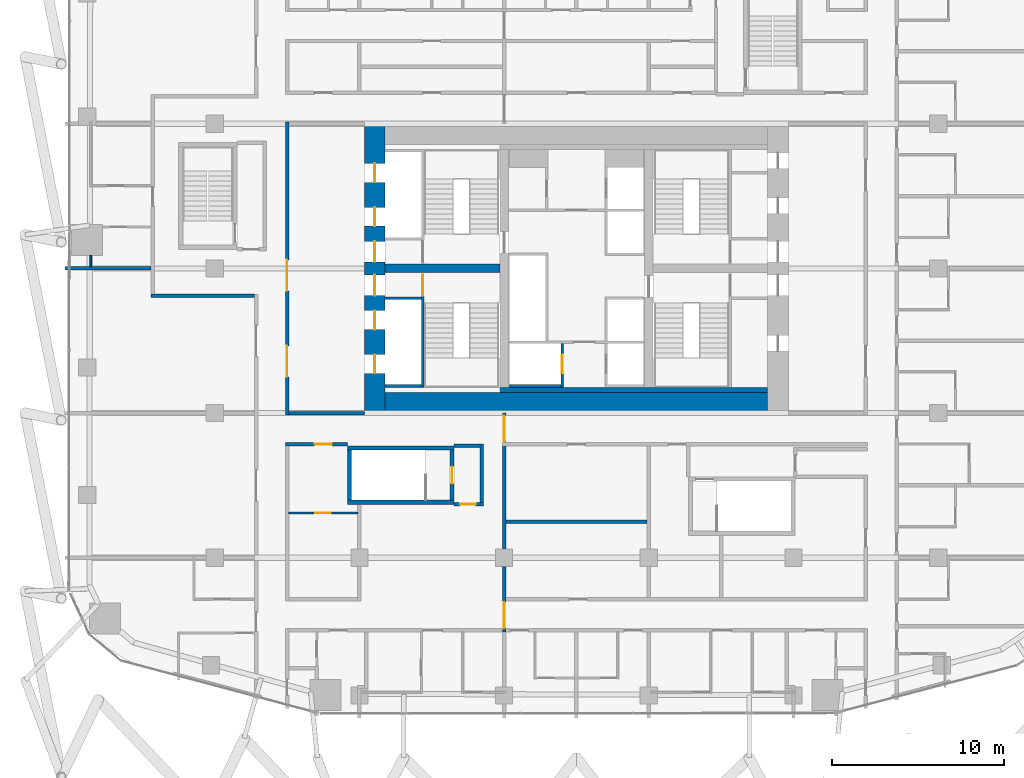
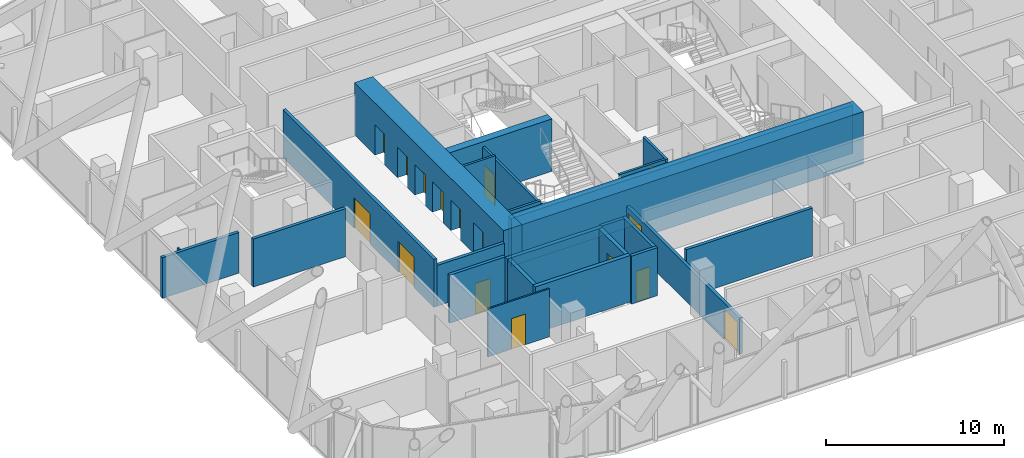
# One storey, part 28 of 36: 25 walls, 16 doors, 16 openings.
"""IFC4 building model written with IfcOpenShell, lengths in metres."""

import ifcopenshell
import ifcopenshell.guid

model = None  # the IFC model being written
_history = None  # IfcOwnerHistory: only IFC2X3 demands one
_inside = {}  # id of a spatial element -> (the spatial element, [elements in it])
_under = {}  # id of a project, library or spatial element -> (it, [spatial elements below it])
_declared = {}  # id of a project -> (the project, [libraries it declares])
_typed = {}  # id of a type object -> (the type object, [elements of that type])
_made_of = {}  # id of a material, layer set ... -> (it, [elements and type objects made of it])


def new_model(schema):
    """Start an empty IFC model of exactly this schema.

    Asked for "IFC4X3", IfcOpenShell would pick the latest addendum, in which some entities
    have other attributes; the version numbers below select the first issue.
    IFC2X3 requires an IfcOwnerHistory on every rooted entity: one is made here for all.
    """
    global model, _history
    if schema == "IFC4X3":
        model = ifcopenshell.file(schema_version=(4, 3, 0, 0))
    else:
        model = ifcopenshell.file(schema=schema)
    _inside.clear()
    _under.clear()
    _declared.clear()
    _typed.clear()
    _made_of.clear()
    _history = None
    if model.schema == "IFC2X3":
        org = make("IfcOrganization", Name="unknown")
        user = make(
            "IfcPersonAndOrganization",
            ThePerson=make("IfcPerson", FamilyName="unknown"),
            TheOrganization=org,
        )
        app = make(
            "IfcApplication",
            ApplicationDeveloper=org,
            Version="unknown",
            ApplicationFullName="unknown",
            ApplicationIdentifier="unknown",
        )
        _history = make(
            "IfcOwnerHistory",
            OwningUser=user,
            OwningApplication=app,
            ChangeAction="ADDED",
            CreationDate=0,
        )
    return model


def make(cls, **values):
    """One entity of the class cls with the attributes given. An attribute that is None is left unset."""
    return model.create_entity(
        cls, **{name: value for name, value in values.items() if value is not None}
    )


def rooted(cls, **values):
    """An entity with a GlobalId (a new one), such as an element, a storey or a relation."""
    return make(cls, GlobalId=ifcopenshell.guid.new(), OwnerHistory=_history, **values)


def si_unit(unit_type, name, prefix=None):
    """IfcSIUnit, for example si_unit("LENGTHUNIT", "METRE", prefix="MILLI")."""
    return make("IfcSIUnit", UnitType=unit_type, Prefix=prefix, Name=name)


def assignment(units):
    """IfcUnitAssignment: the units of a project."""
    return None if units is None else make("IfcUnitAssignment", Units=units)


def point(xyz):
    """IfcCartesianPoint."""
    return None if xyz is None else make("IfcCartesianPoint", Coordinates=xyz)


def direction(xyz):
    """IfcDirection."""
    return None if xyz is None else make("IfcDirection", DirectionRatios=xyz)


def frame(location, z_axis=None, x_axis=None):
    """IfcAxis2Placement3D, a coordinate frame: its origin and axes. An axis left out is left unset."""
    return make(
        "IfcAxis2Placement3D",
        Location=point(location),
        Axis=direction(z_axis),
        RefDirection=direction(x_axis),
    )


def frame_2d(location, x_axis=None):
    """IfcAxis2Placement2D, a coordinate frame in the plane: its origin and x axis."""
    return make(
        "IfcAxis2Placement2D", Location=point(location), RefDirection=direction(x_axis)
    )


def origin():
    """The frame at (0, 0, 0) with its axes left unset."""
    return frame((0.0, 0.0, 0.0))


def place(relative_to, where):
    """IfcLocalPlacement: puts the frame where relative to a parent placement (None: the world)."""
    return make(
        "IfcLocalPlacement", PlacementRelTo=relative_to, RelativePlacement=where
    )


def context(
    kind, dimensions, precision=None, world=None, true_north=None, identifier=None
):
    """IfcGeometricRepresentationContext, for example the 3D "Model" context."""
    return make(
        "IfcGeometricRepresentationContext",
        ContextIdentifier=identifier,
        ContextType=kind,
        CoordinateSpaceDimension=dimensions,
        Precision=precision,
        WorldCoordinateSystem=world,
        TrueNorth=true_north,
    )


def subcontext(parent, identifier, kind, view, scale=None):
    """IfcGeometricRepresentationSubContext, for example "Body" below "Model"."""
    return make(
        "IfcGeometricRepresentationSubContext",
        ContextIdentifier=identifier,
        ContextType=kind,
        ParentContext=parent,
        TargetScale=scale,
        TargetView=view,
    )


def project(units=None, contexts=None):
    """IfcProject with its units and contexts."""
    return rooted(
        "IfcProject",
        Name="project",
        RepresentationContexts=contexts,
        UnitsInContext=assignment(units),
    )


def spatial(cls, under=None, at=None, **own):
    """A site, building, storey or space (cls), placed at a placement, below another one or the project."""
    s = rooted(cls, ObjectPlacement=at, **own)
    if under is not None:
        _under.setdefault(under.id(), (under, []))[1].append(s)
    return s


def profile(cls, at=None, kind="AREA", **sizes):
    """A parametric profile (cls). Its sizes go by their IFC names, for example OverallWidth=200.0."""
    return make(cls, ProfileType=kind, Position=at, **sizes)


def rectangle(**sizes):
    """IfcRectangleProfileDef."""
    return profile("IfcRectangleProfileDef", **sizes)


def extrude(swept, where, along, depth):
    """IfcExtrudedAreaSolid: the profile swept, set in the frame where, extruded along a direction by depth."""
    return make(
        "IfcExtrudedAreaSolid",
        SweptArea=swept,
        Position=where,
        ExtrudedDirection=direction(along),
        Depth=depth,
    )


def shape(context_of_items, identifier, shape_type, items):
    """IfcShapeRepresentation: the items that make up one representation, for example the "Body"."""
    return make(
        "IfcShapeRepresentation",
        ContextOfItems=context_of_items,
        RepresentationIdentifier=identifier,
        RepresentationType=shape_type,
        Items=items,
    )


def material(Name=None, Category=None):
    """IfcMaterial."""
    return make("IfcMaterial", Name=Name, Category=Category)


def layer(
    of_material, thickness, ventilated=None, Name=None, Category=None, Priority=None
):
    """IfcMaterialLayer: one layer of a wall or slab, of a material (None: an air gap)."""
    return make(
        "IfcMaterialLayer",
        Material=of_material,
        LayerThickness=thickness,
        IsVentilated=ventilated,
        Name=Name,
        Category=Category,
        Priority=Priority,
    )


def layer_set(layers, Name=None):
    """IfcMaterialLayerSet."""
    return make("IfcMaterialLayerSet", MaterialLayers=layers, LayerSetName=Name)


def made_of(thing, what):
    """Note that an element or type object is made of a material, layer set ...; save() writes the relation."""
    if what is not None:
        _made_of.setdefault(what.id(), (what, []))[1].append(thing)
    return thing


def type_object(cls, material=None, **own):
    """A type object (cls), such as IfcWallType, which elements share."""
    return made_of(rooted(cls, **own), material)


def element(
    cls,
    number,
    at=None,
    inside=None,
    cuts=None,
    type_object=None,
    material=None,
    context=None,
    identifier="Body",
    shape_type=None,
    held_by="IfcProductDefinitionShape",
    body=None,
    shapes=None,
    **own,
):
    """One element of the class cls, such as IfcWall. Its Tag is "e" and its number.

    at: its placement. inside: the storey or other place that contains it. cuts: it is an
    opening in that element (IfcRelVoidsElement). A single representation is given by context,
    identifier, shape_type and body (its items); several are given by shapes. held_by: the class
    of the entity that holds the representations. save() writes the other relations.
    """
    e = rooted(cls, Tag="e%d" % number, ObjectPlacement=at, **own)
    if body is not None:
        shapes = [shape(context, identifier, shape_type, body)]
    if shapes is not None:
        e.Representation = make(held_by, Representations=shapes)
    if inside is not None:
        _inside.setdefault(inside.id(), (inside, []))[1].append(e)
    if cuts is not None:
        rooted(
            "IfcRelVoidsElement", RelatingBuildingElement=cuts, RelatedOpeningElement=e
        )
    if type_object is not None:
        _typed.setdefault(type_object.id(), (type_object, []))[1].append(e)
    return made_of(e, material)


def fill(opening, filler):
    """IfcRelFillsElement: the door or window that sits in an opening."""
    return rooted(
        "IfcRelFillsElement",
        RelatingOpeningElement=opening,
        RelatedBuildingElement=filler,
    )


def aggregate(whole, parts):
    """IfcRelAggregates: a whole, such as a stair, and the parts it consists of."""
    return rooted("IfcRelAggregates", RelatingObject=whole, RelatedObjects=parts)


def save(model, path):
    """Write the relations noted so far, then the file.

    IfcRelAggregates (storeys below a building ...), IfcRelContainedInSpatialStructure (elements
    in a storey), IfcRelDefinesByType, IfcRelAssociatesMaterial and IfcRelDeclares: one each for
    every whole, place, type object, material and project.
    """
    for whole, parts in _under.values():
        aggregate(whole, parts)
    for where, things in _inside.values():
        rooted(
            "IfcRelContainedInSpatialStructure",
            RelatedElements=things,
            RelatingStructure=where,
        )
    for kind, things in _typed.values():
        rooted("IfcRelDefinesByType", RelatedObjects=things, RelatingType=kind)
    for what, things in _made_of.values():
        rooted("IfcRelAssociatesMaterial", RelatedObjects=things, RelatingMaterial=what)
    for by, libraries in _declared.values():
        rooted("IfcRelDeclares", RelatingContext=by, RelatedDefinitions=libraries)
    model.write(path)


model = new_model("IFC4")

# Units and contexts
model_context = context("Model", 3, precision=1e-05, world=origin(), true_north=direction((0.0, 1.0)))
body_context = subcontext(model_context, "Body", "Model", "MODEL_VIEW")
ifc_project = project(units=[si_unit("LENGTHUNIT", "METRE"), si_unit("AREAUNIT", "SQUARE_METRE"), si_unit("VOLUMEUNIT", "CUBIC_METRE"), si_unit("PLANEANGLEUNIT", "RADIAN"), si_unit("MASSUNIT", "GRAM", prefix="KILO")], contexts=[model_context])

# Site, building, storey
site_placement = place(None, origin())
site = spatial("IfcSite", under=ifc_project, at=site_placement, CompositionType="ELEMENT")
building_placement = place(site_placement, origin())
building = spatial("IfcBuilding", under=site, at=building_placement, Name="Marenta Gate Hotel Tower", CompositionType="ELEMENT")
storey_placement = place(building_placement, frame((0.0, 0.0, 83.300048828125)))
storey = spatial("IfcBuildingStorey", under=building, at=storey_placement, Name="L19", CompositionType="ELEMENT", Elevation=83.300048828125)

# Wall, openings, doors
ifc_material_1 = material(Name="Concrete blockwork", Category="masonry")
ifc_layer_1 = layer(ifc_material_1, 0.199951171875)
ifc_layer_set_1 = layer_set([ifc_layer_1], Name="Concrete blockwork")
wall_type_1 = type_object("IfcWallType", Name="Compartment wall 200 REI 180", PredefinedType="PARTITIONING", material=ifc_layer_set_1)
wall_1_placement = place(storey_placement, frame((-4.199951171875, -12.699951171875, 0.0), z_axis=(0.0, 0.0, 1.0), x_axis=(0.0, 1.0, 0.0)))
wall_1 = element("IfcWall", 1, at=wall_1_placement, inside=storey, type_object=wall_type_1, Name="L19-PTN-W081", PredefinedType="PARTITIONING", context=body_context, shape_type="SweptSolid", body=[
    extrude(rectangle(XDim=12.699951171875, YDim=0.199951171875, at=frame_2d((6.35009765625, 0.0))), origin(), (0.0, 0.0, 1.0), 2.48583984375),
])
opening_1_placement = place(wall_1_placement, frame((11.050048828125, 0.0, 0.0)))
opening_1 = element("IfcOpeningElement", 2, at=opening_1_placement, cuts=wall_1, Name="Opening G07-FD3", PredefinedType="OPENING", context=body_context, shape_type="SweptSolid", body=[
    extrude(rectangle(XDim=1.5, YDim=2.10009765625, at=frame_2d((0.75, 1.050048828125))), frame((0.0, 0.10009765625, 0.0), z_axis=(0.0, -1.0, 0.0), x_axis=(1.0, 0.0, 0.0)), (0.0, 0.0, 1.0), 0.199951171875),
])
opening_2_placement = place(wall_1_placement, frame((0.22509765625, 0.0, 0.0)))
opening_2 = element("IfcOpeningElement", 3, at=opening_2_placement, cuts=wall_1, Name="Opening G07-FD4", PredefinedType="OPENING", context=body_context, shape_type="SweptSolid", body=[
    extrude(rectangle(XDim=1.5, YDim=2.10009765625, at=frame_2d((0.75, 1.050048828125))), frame((0.0, 0.10009765625, 0.0), z_axis=(0.0, -1.0, 0.0), x_axis=(1.0, 0.0, 0.0)), (0.0, 0.0, 1.0), 0.199951171875),
])
ifc_material_2 = material(Name="Hollow steel door set", Category="steel")
door_type_1 = type_object("IfcDoorType", Name="Compartment fire door 1500x2100 EI 60", OperationType="DOUBLE_DOOR_DOUBLE_SWING", PredefinedType="DOOR", material=ifc_material_2)
door_1_placement = place(opening_1_placement, origin())
door_1 = element("IfcDoor", 4, at=door_1_placement, inside=storey, type_object=door_type_1, Name="L19-PD-FD03", OperationType="DOUBLE_DOOR_DOUBLE_SWING", OverallHeight=2.10009765625, OverallWidth=1.5, PredefinedType="DOOR", context=body_context, shape_type="SweptSolid", body=[
    extrude(rectangle(XDim=1.5, YDim=2.10009765625, at=frame_2d((0.75, 1.050048828125))), frame((0.0, 0.02490234375, 0.0), z_axis=(0.0, -1.0, 0.0), x_axis=(1.0, 0.0, 0.0)), (0.0, 0.0, 1.0), 0.050048828125),
])
fill(opening_1, door_1)
door_2_placement = place(opening_2_placement, origin())
door_2 = element("IfcDoor", 5, at=door_2_placement, inside=storey, type_object=door_type_1, Name="L19-PD-FD04", OperationType="DOUBLE_DOOR_DOUBLE_SWING", OverallHeight=2.10009765625, OverallWidth=1.5, PredefinedType="DOOR", context=body_context, shape_type="SweptSolid", body=[
    extrude(rectangle(XDim=1.5, YDim=2.10009765625, at=frame_2d((0.75, 1.050048828125))), frame((0.0, 0.02490234375, 0.0), z_axis=(0.0, -1.0, 0.0), x_axis=(1.0, 0.0, 0.0)), (0.0, 0.0, 1.0), 0.050048828125),
])
fill(opening_2, door_2)

ifc_material_3 = material(Name="Concrete blockwork", Category="masonry")
ifc_layer_2 = layer(ifc_material_3, 0.199951171875)
ifc_layer_set_2 = layer_set([ifc_layer_2], Name="Concrete blockwork")
wall_type_2 = type_object("IfcWallType", Name="Core boundary wall 200 REI 180", PredefinedType="PARTITIONING", material=ifc_layer_set_2)
wall_2_placement = place(storey_placement, frame((-16.800048828125, -0.10009765625, 0.0), z_axis=(0.0, 0.0, 1.0), x_axis=(0.0, 1.0, 0.0)))
wall_2 = element("IfcWall", 6, at=wall_2_placement, inside=storey, type_object=wall_type_2, Name="L19-CP-BW-W", PredefinedType="PARTITIONING", context=body_context, shape_type="SweptSolid", body=[
    extrude(rectangle(XDim=17.0, YDim=0.199951171875, at=frame_2d((8.5, 0.0))), origin(), (0.0, 0.0, 1.0), 3.300048828125),
])
opening_3_placement = place(wall_2_placement, frame((2.199951171875, 0.0, 0.0)))
opening_3 = element("IfcOpeningElement", 7, at=opening_3_placement, cuts=wall_2, Name="Opening ED-Wa-B", PredefinedType="OPENING", context=body_context, shape_type="SweptSolid", body=[
    extrude(rectangle(XDim=1.800048828125, YDim=2.10009765625, at=frame_2d((0.89990234375, 1.050048828125))), frame((0.0, 0.10009765625, 0.0), z_axis=(0.0, -1.0, 0.0), x_axis=(1.0, 0.0, 0.0)), (0.0, 0.0, 1.0), 0.199951171875),
])
opening_4_placement = place(wall_2_placement, frame((7.199951171875, 0.0, 0.0)))
opening_4 = element("IfcOpeningElement", 8, at=opening_4_placement, cuts=wall_2, Name="Opening ED-Wb-B", PredefinedType="OPENING", context=body_context, shape_type="SweptSolid", body=[
    extrude(rectangle(XDim=1.800048828125, YDim=2.10009765625, at=frame_2d((0.89990234375, 1.050048828125))), frame((0.0, 0.10009765625, 0.0), z_axis=(0.0, -1.0, 0.0), x_axis=(1.0, 0.0, 0.0)), (0.0, 0.0, 1.0), 0.199951171875),
])
ifc_material_4 = material(Name="Steel", Category="steel")
door_type_2 = type_object("IfcDoorType", Name="Core lobby entrance door 1800x2100 EI 60", OperationType="DOUBLE_DOOR_SINGLE_SWING", PredefinedType="DOOR", material=ifc_material_4)
door_3_placement = place(opening_3_placement, origin())
door_3 = element("IfcDoor", 9, at=door_3_placement, inside=storey, type_object=door_type_2, Name="ED-Wa-B", OperationType="DOUBLE_DOOR_SINGLE_SWING", OverallHeight=2.10009765625, OverallWidth=1.800048828125, PredefinedType="DOOR", context=body_context, shape_type="SweptSolid", body=[
    extrude(rectangle(XDim=1.800048828125, YDim=2.10009765625, at=frame_2d((0.89990234375, 1.050048828125))), frame((0.0, 0.02490234375, 0.0), z_axis=(0.0, -1.0, 0.0), x_axis=(1.0, 0.0, 0.0)), (0.0, 0.0, 1.0), 0.050048828125),
])
fill(opening_3, door_3)
door_4_placement = place(opening_4_placement, origin())
door_4 = element("IfcDoor", 10, at=door_4_placement, inside=storey, type_object=door_type_2, Name="ED-Wb-B", OperationType="DOUBLE_DOOR_SINGLE_SWING", OverallHeight=2.10009765625, OverallWidth=1.800048828125, PredefinedType="DOOR", context=body_context, shape_type="SweptSolid", body=[
    extrude(rectangle(XDim=1.800048828125, YDim=2.10009765625, at=frame_2d((0.89990234375, 1.050048828125))), frame((0.0, 0.02490234375, 0.0), z_axis=(0.0, -1.0, 0.0), x_axis=(1.0, 0.0, 0.0)), (0.0, 0.0, 1.0), 0.050048828125),
])
fill(opening_4, door_4)

# Walls
wall_3_placement = place(storey_placement, frame((-16.699951171875, 0.0, 0.0), z_axis=(0.0, 0.0, 1.0), x_axis=(1.0, 0.0, 0.0)))
element("IfcWall", 11, at=wall_3_placement, inside=storey, type_object=wall_type_2, Name="L19-CP-EW-WS", PredefinedType="PARTITIONING", context=body_context, shape_type="SweptSolid", body=[
    extrude(rectangle(XDim=4.39990234375, YDim=0.199951171875, at=frame_2d((2.199951171875, 0.0))), origin(), (0.0, 0.0, 1.0), 2.800048828125),
])
ifc_material_5 = material(Name="Concrete C40", Category="concrete")
ifc_layer_3 = layer(ifc_material_5, 0.300048828125)
ifc_layer_set_3 = layer_set([ifc_layer_3], Name="Concrete C40")
wall_type_3 = type_object("IfcWallType", Name="Core lining wall 300 REI 180", PredefinedType="PARTITIONING", material=ifc_layer_set_3)
wall_4_placement = place(storey_placement, frame((-11.10009765625, 1.35009765625, 0.0), z_axis=(0.0, 0.0, 1.0), x_axis=(1.0, 0.0, 0.0)))
element("IfcWall", 12, at=wall_4_placement, inside=storey, type_object=wall_type_3, Name="L19-CP-LN-S", PredefinedType="PARTITIONING", context=body_context, shape_type="SweptSolid", body=[
    extrude(rectangle(XDim=22.2001953125, YDim=0.300048828125, at=frame_2d((11.10009765625, 0.0))), origin(), (0.0, 0.0, 1.0), 3.300048828125),
])
ifc_material_6 = material(Name="Concrete C40", Category="concrete")
ifc_layer_4 = layer(ifc_material_6, 0.14990234375)
ifc_layer_set_4 = layer_set([ifc_layer_4], Name="Concrete C40")
wall_type_4 = type_object("IfcWallType", Name="Core shaft wall 150 REI 180", PredefinedType="SHEAR", material=ifc_layer_set_4)
for number, where, z_axis, x_axis, name in (
    (13, (-11.10009765625, 6.675048828125, 0.0), (0.0, 0.0, 1.0), (1.0, 0.0, 0.0), "L19-SHF-SW-WS-2"),
    (14, (-11.10009765625, 1.574951171875, 0.0), (0.0, 0.0, 1.0), (1.0, 0.0, 0.0), "L19-SHF-SW-WS-5"),
):
    element("IfcWall", number, at=place(storey_placement, frame(where, z_axis=z_axis, x_axis=x_axis)), inside=storey, type_object=wall_type_4, Name=name, PredefinedType="SHEAR", context=body_context, shape_type="SweptSolid", body=[
        extrude(rectangle(XDim=2.10009765625, YDim=0.14990234375, at=frame_2d((1.050048828125, 0.0))), origin(), (0.0, 0.0, 1.0), 3.599853515625),
    ])

# Wall, opening, door
wall_5_placement = place(storey_placement, frame((-0.824951171875, 1.5, 0.0), z_axis=(0.0, 0.0, 1.0), x_axis=(0.0, 1.0, 0.0)))
wall_5 = element("IfcWall", 15, at=wall_5_placement, inside=storey, type_object=wall_type_4, Name="L19-SHF-CW-W-ff", PredefinedType="SHEAR", context=body_context, shape_type="SweptSolid", body=[
    extrude(rectangle(XDim=2.550048828125, YDim=0.14990234375, at=frame_2d((1.27490234375, 0.0))), origin(), (0.0, 0.0, 1.0), 3.599853515625),
])
opening_5_placement = place(wall_5_placement, frame((0.800048828125, 0.0, 0.0)))
opening_5 = element("IfcOpeningElement", 16, at=opening_5_placement, cuts=wall_5, Name="Opening LD-FF1", PredefinedType="OPENING", context=body_context, shape_type="SweptSolid", body=[
    extrude(rectangle(XDim=1.10009765625, YDim=2.10009765625, at=frame_2d((0.550048828125, 1.050048828125))), frame((0.0, 0.074951171875, 0.0), z_axis=(0.0, -1.0, 0.0), x_axis=(1.0, 0.0, 0.0)), (0.0, 0.0, 1.0), 0.14990234375),
])
ifc_material_7 = material(Name="Steel", Category="steel")
door_type_3 = type_object("IfcDoorType", Name="Core lift landing door 1100x2100 E 60", OperationType="SLIDING_TO_LEFT", PredefinedType="DOOR", material=ifc_material_7)
door_5_placement = place(opening_5_placement, origin())
door_5 = element("IfcDoor", 17, at=door_5_placement, inside=storey, type_object=door_type_3, Name="LD-FF1", OperationType="SLIDING_TO_LEFT", OverallHeight=2.10009765625, OverallWidth=1.10009765625, PredefinedType="DOOR", context=body_context, shape_type="SweptSolid", body=[
    extrude(rectangle(XDim=1.10009765625, YDim=2.10009765625, at=frame_2d((0.550048828125, 1.050048828125))), frame((0.0, 0.02490234375, 0.0), z_axis=(0.0, -1.0, 0.0), x_axis=(1.0, 0.0, 0.0)), (0.0, 0.0, 1.0), 0.050048828125),
])
fill(opening_5, door_5)

# Wall
wall_6_placement = place(storey_placement, frame((-3.89990234375, 1.574951171875, 0.0), z_axis=(0.0, 0.0, 1.0), x_axis=(1.0, 0.0, 0.0)))
element("IfcWall", 18, at=wall_6_placement, inside=storey, type_object=wall_type_4, Name="L19-SHF-CW-W-ffs", PredefinedType="SHEAR", context=body_context, shape_type="SweptSolid", body=[
    extrude(rectangle(XDim=3.0, YDim=0.14990234375, at=frame_2d((1.5, 0.0))), origin(), (0.0, 0.0, 1.0), 3.599853515625),
])

# Wall, opening, door
ifc_material_8 = material(Name="Concrete C40", Category="concrete")
ifc_layer_5 = layer(ifc_material_8, 0.14990234375)
ifc_layer_set_5 = layer_set([ifc_layer_5], Name="Concrete C40")
wall_type_5 = type_object("IfcWallType", Name="Core stair enclosure wall 150 REI 180", PredefinedType="SHEAR", material=ifc_layer_set_5)
wall_7_placement = place(storey_placement, frame((-8.925048828125, 1.5, 0.0), z_axis=(0.0, 0.0, 1.0), x_axis=(0.0, 1.0, 0.0)))
wall_7 = element("IfcWall", 19, at=wall_7_placement, inside=storey, type_object=wall_type_5, Name="L19-SHF-SW-WS-3", PredefinedType="SHEAR", context=body_context, shape_type="SweptSolid", body=[
    extrude(rectangle(XDim=6.60009765625, YDim=0.14990234375, at=frame_2d((3.300048828125, 0.0))), origin(), (0.0, 0.0, 1.0), 3.300048828125),
])
opening_6_placement = place(wall_7_placement, frame((5.324951171875, 0.0, 0.0)))
opening_6 = element("IfcOpeningElement", 20, at=opening_6_placement, cuts=wall_7, Name="Opening SD-WS", PredefinedType="OPENING", context=body_context, shape_type="SweptSolid", body=[
    extrude(rectangle(XDim=1.199951171875, YDim=2.10009765625, at=frame_2d((0.60009765625, 1.050048828125))), frame((0.0, 0.074951171875, 0.0), z_axis=(0.0, -1.0, 0.0), x_axis=(1.0, 0.0, 0.0)), (0.0, 0.0, 1.0), 0.14990234375),
])
ifc_material_9 = material(Name="Steel", Category="steel")
door_type_4 = type_object("IfcDoorType", Name="Core stair door 1200x2100 FD60", OperationType="SINGLE_SWING_LEFT", PredefinedType="DOOR", material=ifc_material_9)
door_6_placement = place(opening_6_placement, origin())
door_6 = element("IfcDoor", 21, at=door_6_placement, inside=storey, type_object=door_type_4, Name="SD-WS", OperationType="SINGLE_SWING_LEFT", OverallHeight=2.10009765625, OverallWidth=1.199951171875, PredefinedType="DOOR", context=body_context, shape_type="SweptSolid", body=[
    extrude(rectangle(XDim=1.199951171875, YDim=2.10009765625, at=frame_2d((0.60009765625, 1.050048828125))), frame((0.0, 0.02490234375, 0.0), z_axis=(0.0, -1.0, 0.0), x_axis=(1.0, 0.0, 0.0)), (0.0, 0.0, 1.0), 0.050048828125),
])
fill(opening_6, door_6)

# Wall, openings, doors
ifc_material_10 = material(Name="Concrete C80", Category="concrete")
ifc_layer_6 = layer(ifc_material_10, 1.199951171875)
ifc_layer_set_6 = layer_set([ifc_layer_6], Name="Concrete C80")
wall_type_6 = type_object("IfcWallType", Name="Core wall 1200 C80", PredefinedType="SHEAR", material=ifc_layer_set_6)
wall_8_placement = place(storey_placement, frame((-11.699951171875, 0.0, 0.0), z_axis=(0.0, 0.0, 1.0), x_axis=(0.0, 1.0, 0.0)))
wall_8 = element("IfcWall", 22, at=wall_8_placement, inside=storey, type_object=wall_type_6, Name="L19-CORE-W", PredefinedType="SHEAR", context=body_context, shape_type="SweptSolid", body=[
    extrude(rectangle(XDim=16.800048828125, YDim=1.199951171875, at=frame_2d((8.39990234375, 0.0))), origin(), (0.0, 0.0, 1.0), 3.599853515625),
])
opening_7_placement = place(wall_8_placement, frame((2.300048828125, 0.0, 0.0)))
opening_7 = element("IfcOpeningElement", 23, at=opening_7_placement, cuts=wall_8, Name="Opening LD-LR1", PredefinedType="OPENING", context=body_context, shape_type="SweptSolid", body=[
    extrude(rectangle(XDim=1.10009765625, YDim=2.10009765625, at=frame_2d((0.550048828125, 1.050048828125))), frame((0.0, 0.60009765625, 0.0), z_axis=(0.0, -1.0, 0.0), x_axis=(1.0, 0.0, 0.0)), (0.0, 0.0, 1.0), 1.199951171875),
])
opening_8_placement = place(wall_8_placement, frame((4.85009765625, 0.0, 0.0)))
opening_8 = element("IfcOpeningElement", 24, at=opening_8_placement, cuts=wall_8, Name="Opening LD-LR2", PredefinedType="OPENING", context=body_context, shape_type="SweptSolid", body=[
    extrude(rectangle(XDim=1.10009765625, YDim=2.10009765625, at=frame_2d((0.550048828125, 1.050048828125))), frame((0.0, 0.60009765625, 0.0), z_axis=(0.0, -1.0, 0.0), x_axis=(1.0, 0.0, 0.0)), (0.0, 0.0, 1.0), 1.199951171875),
])
opening_9_placement = place(wall_8_placement, frame((6.824951171875, 0.0, 0.0)))
opening_9 = element("IfcOpeningElement", 25, at=opening_9_placement, cuts=wall_8, Name="Opening PD-WS", PredefinedType="OPENING", context=body_context, shape_type="SweptSolid", body=[
    extrude(rectangle(XDim=1.199951171875, YDim=2.10009765625, at=frame_2d((0.60009765625, 1.050048828125))), frame((0.0, 0.60009765625, 0.0), z_axis=(0.0, -1.0, 0.0), x_axis=(1.0, 0.0, 0.0)), (0.0, 0.0, 1.0), 1.199951171875),
])
opening_10_placement = place(wall_8_placement, frame((13.39990234375, 0.0, 0.0)))
opening_10 = element("IfcOpeningElement", 26, at=opening_10_placement, cuts=wall_8, Name="Opening LD-LR4", PredefinedType="OPENING", context=body_context, shape_type="SweptSolid", body=[
    extrude(rectangle(XDim=1.10009765625, YDim=2.10009765625, at=frame_2d((0.550048828125, 1.050048828125))), frame((0.0, 0.60009765625, 0.0), z_axis=(0.0, -1.0, 0.0), x_axis=(1.0, 0.0, 0.0)), (0.0, 0.0, 1.0), 1.199951171875),
])
opening_11_placement = place(wall_8_placement, frame((10.85009765625, 0.0, 0.0)))
opening_11 = element("IfcOpeningElement", 27, at=opening_11_placement, cuts=wall_8, Name="Opening LD-LR3", PredefinedType="OPENING", context=body_context, shape_type="SweptSolid", body=[
    extrude(rectangle(XDim=1.10009765625, YDim=2.10009765625, at=frame_2d((0.550048828125, 1.050048828125))), frame((0.0, 0.60009765625, 0.0), z_axis=(0.0, -1.0, 0.0), x_axis=(1.0, 0.0, 0.0)), (0.0, 0.0, 1.0), 1.199951171875),
])
opening_12_placement = place(wall_8_placement, frame((8.77490234375, 0.0, 0.0)))
opening_12 = element("IfcOpeningElement", 28, at=opening_12_placement, cuts=wall_8, Name="Opening PD-WN", PredefinedType="OPENING", context=body_context, shape_type="SweptSolid", body=[
    extrude(rectangle(XDim=1.199951171875, YDim=2.10009765625, at=frame_2d((0.60009765625, 1.050048828125))), frame((0.0, 0.60009765625, 0.0), z_axis=(0.0, -1.0, 0.0), x_axis=(1.0, 0.0, 0.0)), (0.0, 0.0, 1.0), 1.199951171875),
])
door_7_placement = place(opening_7_placement, origin())
door_7 = element("IfcDoor", 29, at=door_7_placement, inside=storey, type_object=door_type_3, Name="LD-LR1", OperationType="SLIDING_TO_LEFT", OverallHeight=2.10009765625, OverallWidth=1.10009765625, PredefinedType="DOOR", context=body_context, shape_type="SweptSolid", body=[
    extrude(rectangle(XDim=1.10009765625, YDim=2.10009765625, at=frame_2d((0.550048828125, 1.050048828125))), frame((0.0, 0.02490234375, 0.0), z_axis=(0.0, -1.0, 0.0), x_axis=(1.0, 0.0, 0.0)), (0.0, 0.0, 1.0), 0.050048828125),
])
fill(opening_7, door_7)
door_8_placement = place(opening_8_placement, origin())
door_8 = element("IfcDoor", 30, at=door_8_placement, inside=storey, type_object=door_type_3, Name="LD-LR2", OperationType="SLIDING_TO_LEFT", OverallHeight=2.10009765625, OverallWidth=1.10009765625, PredefinedType="DOOR", context=body_context, shape_type="SweptSolid", body=[
    extrude(rectangle(XDim=1.10009765625, YDim=2.10009765625, at=frame_2d((0.550048828125, 1.050048828125))), frame((0.0, 0.02490234375, 0.0), z_axis=(0.0, -1.0, 0.0), x_axis=(1.0, 0.0, 0.0)), (0.0, 0.0, 1.0), 0.050048828125),
])
fill(opening_8, door_8)
door_9_placement = place(opening_10_placement, origin())
door_9 = element("IfcDoor", 31, at=door_9_placement, inside=storey, type_object=door_type_3, Name="LD-LR4", OperationType="SLIDING_TO_LEFT", OverallHeight=2.10009765625, OverallWidth=1.10009765625, PredefinedType="DOOR", context=body_context, shape_type="SweptSolid", body=[
    extrude(rectangle(XDim=1.10009765625, YDim=2.10009765625, at=frame_2d((0.550048828125, 1.050048828125))), frame((0.0, 0.02490234375, 0.0), z_axis=(0.0, -1.0, 0.0), x_axis=(1.0, 0.0, 0.0)), (0.0, 0.0, 1.0), 0.050048828125),
])
fill(opening_10, door_9)
door_10_placement = place(opening_11_placement, origin())
door_10 = element("IfcDoor", 32, at=door_10_placement, inside=storey, type_object=door_type_3, Name="LD-LR3", OperationType="SLIDING_TO_LEFT", OverallHeight=2.10009765625, OverallWidth=1.10009765625, PredefinedType="DOOR", context=body_context, shape_type="SweptSolid", body=[
    extrude(rectangle(XDim=1.10009765625, YDim=2.10009765625, at=frame_2d((0.550048828125, 1.050048828125))), frame((0.0, 0.02490234375, 0.0), z_axis=(0.0, -1.0, 0.0), x_axis=(1.0, 0.0, 0.0)), (0.0, 0.0, 1.0), 0.050048828125),
])
fill(opening_11, door_10)
ifc_material_11 = material(Name="Steel", Category="steel")
door_type_5 = type_object("IfcDoorType", Name="Core lobby door 1200x2100 FD60", OperationType="SINGLE_SWING_LEFT", PredefinedType="DOOR", material=ifc_material_11)
door_11_placement = place(opening_9_placement, origin())
door_11 = element("IfcDoor", 33, at=door_11_placement, inside=storey, type_object=door_type_5, Name="PD-WS", OperationType="SINGLE_SWING_LEFT", OverallHeight=2.10009765625, OverallWidth=1.199951171875, PredefinedType="DOOR", context=body_context, shape_type="SweptSolid", body=[
    extrude(rectangle(XDim=1.199951171875, YDim=2.10009765625, at=frame_2d((0.60009765625, 1.050048828125))), frame((0.0, 0.02490234375, 0.0), z_axis=(0.0, -1.0, 0.0), x_axis=(1.0, 0.0, 0.0)), (0.0, 0.0, 1.0), 0.050048828125),
])
fill(opening_9, door_11)
door_12_placement = place(opening_12_placement, origin())
door_12 = element("IfcDoor", 34, at=door_12_placement, inside=storey, type_object=door_type_5, Name="PD-WN", OperationType="SINGLE_SWING_LEFT", OverallHeight=2.10009765625, OverallWidth=1.199951171875, PredefinedType="DOOR", context=body_context, shape_type="SweptSolid", body=[
    extrude(rectangle(XDim=1.199951171875, YDim=2.10009765625, at=frame_2d((0.60009765625, 1.050048828125))), frame((0.0, 0.02490234375, 0.0), z_axis=(0.0, -1.0, 0.0), x_axis=(1.0, 0.0, 0.0)), (0.0, 0.0, 1.0), 0.050048828125),
])
fill(opening_12, door_12)

# Walls
wall_9_placement = place(storey_placement, frame((-11.10009765625, 0.60009765625, 0.0), z_axis=(0.0, 0.0, 1.0), x_axis=(1.0, 0.0, 0.0)))
element("IfcWall", 35, at=wall_9_placement, inside=storey, type_object=wall_type_6, Name="L19-CORE-S", PredefinedType="SHEAR", context=body_context, shape_type="SweptSolid", body=[
    extrude(rectangle(XDim=22.2001953125, YDim=1.199951171875, at=frame_2d((11.10009765625, 0.0))), origin(), (0.0, 0.0, 1.0), 3.599853515625),
])
ifc_material_12 = material(Name="Concrete C80", Category="concrete")
ifc_layer_7 = layer(ifc_material_12, 0.5)
ifc_layer_set_7 = layer_set([ifc_layer_7], Name="Concrete C80")
wall_type_7 = type_object("IfcWallType", Name="Core web 500 C80", PredefinedType="SHEAR", material=ifc_layer_set_7)
wall_10_placement = place(storey_placement, frame((-11.10009765625, 8.39990234375, 0.0), z_axis=(0.0, 0.0, 1.0), x_axis=(1.0, 0.0, 0.0)))
element("IfcWall", 36, at=wall_10_placement, inside=storey, type_object=wall_type_7, Name="L19-CORE-W3", PredefinedType="SHEAR", context=body_context, shape_type="SweptSolid", body=[
    extrude(rectangle(XDim=6.650146484375, YDim=0.5, at=frame_2d((3.3251953125, 0.0))), origin(), (0.0, 0.0, 1.0), 3.599853515625),
])
ifc_material_13 = material(Name="Concrete C40", Category="concrete")
ifc_layer_8 = layer(ifc_material_13, 0.25)
ifc_layer_set_8 = layer_set([ifc_layer_8], Name="Concrete C40")
wall_type_8 = type_object("IfcWallType", Name="Remote stair enclosure wall 250 REI 180", PredefinedType="SHEAR", material=ifc_layer_set_8)
for number, where, z_axis, x_axis, name in (
    (37, (-13.300048828125, -5.175048828125, 0.099853515625), (0.0, 0.0, 1.0), (1.0, 0.0, 0.0), "L19-RS-Z1-2-W1"),
    (38, (-13.300048828125, -2.02490234375, 0.099853515625), (0.0, 0.0, 1.0), (1.0, 0.0, 0.0), "L19-RS-Z1-2-W2"),
):
    element("IfcWall", number, at=place(storey_placement, frame(where, z_axis=z_axis, x_axis=x_axis)), inside=storey, type_object=wall_type_8, Name=name, PredefinedType="SHEAR", context=body_context, shape_type="SweptSolid", body=[
        extrude(rectangle(XDim=6.199951171875, YDim=0.25, at=frame_2d((3.10009765625, 0.0))), origin(), (0.0, 0.0, 1.0), 3.2001953125),
    ])
wall_11_placement = place(storey_placement, frame((-13.175048828125, -5.050048828125, 0.099853515625), z_axis=(0.0, 0.0, 1.0), x_axis=(0.0, 1.0, 0.0)))
element("IfcWall", 39, at=wall_11_placement, inside=storey, type_object=wall_type_8, Name="L19-RS-Z1-2-W3", PredefinedType="SHEAR", context=body_context, shape_type="SweptSolid", body=[
    extrude(rectangle(XDim=2.900146484375, YDim=0.25, at=frame_2d((1.4501953125, 0.0))), origin(), (0.0, 0.0, 1.0), 3.2001953125),
])

# Wall, opening, door
wall_12_placement = place(storey_placement, frame((-7.22509765625, -5.050048828125, 0.099853515625), z_axis=(0.0, 0.0, 1.0), x_axis=(0.0, 1.0, 0.0)))
wall_12 = element("IfcWall", 40, at=wall_12_placement, inside=storey, type_object=wall_type_8, Name="L19-RS-Z1-2-W4", PredefinedType="SHEAR", context=body_context, shape_type="SweptSolid", body=[
    extrude(rectangle(XDim=2.900146484375, YDim=0.25, at=frame_2d((1.4501953125, 0.0))), origin(), (0.0, 0.0, 1.0), 3.2001953125),
])
opening_13_placement = place(wall_12_placement, frame((0.949951171875, 0.0, 0.0)))
opening_13 = element("IfcOpeningElement", 41, at=opening_13_placement, cuts=wall_12, Name="Opening VD", PredefinedType="OPENING", context=body_context, shape_type="SweptSolid", body=[
    extrude(rectangle(XDim=1.0, YDim=2.10009765625, at=frame_2d((0.5, 1.050048828125))), frame((0.0, 0.125, 0.0), z_axis=(0.0, -1.0, 0.0), x_axis=(1.0, 0.0, 0.0)), (0.0, 0.0, 1.0), 0.25),
])
ifc_material_14 = material(Name="Steel", Category="steel")
door_type_6 = type_object("IfcDoorType", Name="Stair vestibule door 1000x2100 FD60", OperationType="SINGLE_SWING_LEFT", PredefinedType="DOOR", material=ifc_material_14)
door_13_placement = place(opening_13_placement, origin())
door_13 = element("IfcDoor", 42, at=door_13_placement, inside=storey, type_object=door_type_6, Name="VD", OperationType="SINGLE_SWING_LEFT", OverallHeight=2.10009765625, OverallWidth=1.0, PredefinedType="DOOR", context=body_context, shape_type="SweptSolid", body=[
    extrude(rectangle(XDim=1.0, YDim=2.10009765625, at=frame_2d((0.5, 1.050048828125))), frame((0.0, 0.02490234375, 0.0), z_axis=(0.0, -1.0, 0.0), x_axis=(1.0, 0.0, 0.0)), (0.0, 0.0, 1.0), 0.050048828125),
])
fill(opening_13, door_13)

ifc_material_15 = material(Name="Gypsum board on steel stud", Category="steel")
ifc_layer_9 = layer(ifc_material_15, 0.199951171875)
ifc_layer_set_9 = layer_set([ifc_layer_9], Name="Gypsum board on steel stud")
wall_type_9 = type_object("IfcWallType", Name="Room corridor wall 200 EI 60", PredefinedType="PARTITIONING", material=ifc_layer_set_9)
wall_13_placement = place(storey_placement, frame((-16.89990234375, -1.800048828125, 0.0), z_axis=(0.0, 0.0, 1.0), x_axis=(1.0, 0.0, 0.0)))
wall_13 = element("IfcWall", 43, at=wall_13_placement, inside=storey, type_object=wall_type_9, Name="L19-PTN-W067", PredefinedType="PARTITIONING", context=body_context, shape_type="SweptSolid", body=[
    extrude(rectangle(XDim=3.599853515625, YDim=0.199951171875, at=frame_2d((1.7998046875, 0.0))), origin(), (0.0, 0.0, 1.0), 3.300048828125),
])
opening_14_placement = place(wall_13_placement, frame((1.699951171875, 0.0, 0.0)))
opening_14 = element("IfcOpeningElement", 44, at=opening_14_placement, cuts=wall_13, Name="Opening G07-04", PredefinedType="OPENING", context=body_context, shape_type="SweptSolid", body=[
    extrude(rectangle(XDim=1.0, YDim=2.10009765625, at=frame_2d((0.5, 1.050048828125))), frame((0.0, 0.10009765625, 0.0), z_axis=(0.0, -1.0, 0.0), x_axis=(1.0, 0.0, 0.0)), (0.0, 0.0, 1.0), 0.199951171875),
])
ifc_material_16 = material(Name="Hollow steel door set", Category="steel")
door_type_7 = type_object("IfcDoorType", Name="Room service door 1000x2100 EI 30", OperationType="NOTDEFINED", PredefinedType="DOOR", material=ifc_material_16)
door_14_placement = place(opening_14_placement, origin())
door_14 = element("IfcDoor", 45, at=door_14_placement, inside=storey, type_object=door_type_7, Name="L19-PD-D004", OperationType="SINGLE_SWING_RIGHT", OverallHeight=2.10009765625, OverallWidth=1.0, PredefinedType="DOOR", context=body_context, shape_type="SweptSolid", body=[
    extrude(rectangle(XDim=1.0, YDim=2.10009765625, at=frame_2d((0.5, 1.050048828125))), frame((0.0, 0.02490234375, 0.0), z_axis=(0.0, -1.0, 0.0), x_axis=(1.0, 0.0, 0.0)), (0.0, 0.0, 1.0), 0.050048828125),
])
fill(opening_14, door_14)

# Wall
wall_14_placement = place(storey_placement, frame((-24.699951171875, 6.800048828125, 0.0), z_axis=(0.0, 0.0, 1.0), x_axis=(1.0, 0.0, 0.0)))
element("IfcWall", 46, at=wall_14_placement, inside=storey, type_object=wall_type_9, Name="L19-PTN-W087", PredefinedType="PARTITIONING", context=body_context, shape_type="SweptSolid", body=[
    extrude(rectangle(XDim=6.0, YDim=0.199951171875, at=frame_2d((3.0, 0.0))), origin(), (0.0, 0.0, 1.0), 3.300048828125),
])

# Wall, opening, door
ifc_material_17 = material(Name="Concrete blockwork", Category="masonry")
ifc_layer_10 = layer(ifc_material_17, 0.199951171875)
ifc_layer_set_10 = layer_set([ifc_layer_10], Name="Concrete blockwork")
wall_type_10 = type_object("IfcWallType", Name="Room corridor wall 200 REI 180", PredefinedType="PARTITIONING", material=ifc_layer_set_10)
wall_15_placement = place(storey_placement, frame((-7.10009765625, -5.300048828125, 0.0), z_axis=(0.0, 0.0, 1.0), x_axis=(1.0, 0.0, 0.0)))
wall_15 = element("IfcWall", 47, at=wall_15_placement, inside=storey, type_object=wall_type_10, Name="L19-PTN-W056", PredefinedType="PARTITIONING", context=body_context, shape_type="SweptSolid", body=[
    extrude(rectangle(XDim=1.7001953125, YDim=0.199951171875, at=frame_2d((0.85009765625, 0.0))), origin(), (0.0, 0.0, 1.0), 3.300048828125),
])
opening_15_placement = place(wall_15_placement, frame((0.35009765625, 0.0, 0.0)))
opening_15 = element("IfcOpeningElement", 48, at=opening_15_placement, cuts=wall_15, Name="Opening G07-65", PredefinedType="OPENING", context=body_context, shape_type="SweptSolid", body=[
    extrude(rectangle(XDim=0.89990234375, YDim=2.10009765625, at=frame_2d((0.449951171875, 1.050048828125))), frame((0.0, 0.10009765625, 0.0), z_axis=(0.0, -1.0, 0.0), x_axis=(1.0, 0.0, 0.0)), (0.0, 0.0, 1.0), 0.199951171875),
])
ifc_material_18 = material(Name="Hollow steel door set", Category="steel")
door_type_8 = type_object("IfcDoorType", Name="Stair vestibule door 900x2100 EI 60", OperationType="NOTDEFINED", PredefinedType="DOOR", material=ifc_material_18)
door_15_placement = place(opening_15_placement, origin())
door_15 = element("IfcDoor", 49, at=door_15_placement, inside=storey, type_object=door_type_8, Name="L19-PD-D065", OperationType="SINGLE_SWING_RIGHT", OverallHeight=2.10009765625, OverallWidth=0.89990234375, PredefinedType="DOOR", context=body_context, shape_type="SweptSolid", body=[
    extrude(rectangle(XDim=0.89990234375, YDim=2.10009765625, at=frame_2d((0.449951171875, 1.050048828125))), frame((0.0, 0.02490234375, 0.0), z_axis=(0.0, -1.0, 0.0), x_axis=(1.0, 0.0, 0.0)), (0.0, 0.0, 1.0), 0.050048828125),
])
fill(opening_15, door_15)

# Walls
wall_16_placement = place(storey_placement, frame((-7.10009765625, -1.89990234375, 0.0), z_axis=(0.0, 0.0, 1.0), x_axis=(1.0, 0.0, 0.0)))
element("IfcWall", 50, at=wall_16_placement, inside=storey, type_object=wall_type_10, Name="L19-PTN-W065", PredefinedType="PARTITIONING", context=body_context, shape_type="SweptSolid", body=[
    extrude(rectangle(XDim=1.5, YDim=0.199951171875, at=frame_2d((0.75, 0.0))), origin(), (0.0, 0.0, 1.0), 3.300048828125),
])
wall_17_placement = place(storey_placement, frame((-5.5, -5.199951171875, 0.0), z_axis=(0.0, 0.0, 1.0), x_axis=(0.0, 1.0, 0.0)))
element("IfcWall", 51, at=wall_17_placement, inside=storey, type_object=wall_type_10, Name="L19-PTN-W083", PredefinedType="PARTITIONING", context=body_context, shape_type="SweptSolid", body=[
    extrude(rectangle(XDim=3.39990234375, YDim=0.199951171875, at=frame_2d((1.699951171875, 0.0))), origin(), (0.0, 0.0, 1.0), 3.300048828125),
])

# Wall, opening, door
ifc_material_19 = material(Name="Gypsum board on steel stud", Category="steel")
ifc_layer_11 = layer(ifc_material_19, 0.10009765625)
ifc_layer_set_11 = layer_set([ifc_layer_11], Name="Gypsum board on steel stud")
wall_type_11 = type_object("IfcWallType", Name="Room partition 100", PredefinedType="PARTITIONING", material=ifc_layer_set_11)
wall_18_placement = place(storey_placement, frame((-16.699951171875, -5.800048828125, 0.0), z_axis=(0.0, 0.0, 1.0), x_axis=(1.0, 0.0, 0.0)))
wall_18 = element("IfcWall", 52, at=wall_18_placement, inside=storey, type_object=wall_type_11, Name="L19-PTN-W055", PredefinedType="PARTITIONING", context=body_context, shape_type="SweptSolid", body=[
    extrude(rectangle(XDim=4.0, YDim=0.10009765625, at=frame_2d((2.0, 0.0))), origin(), (0.0, 0.0, 1.0), 3.300048828125),
])
opening_16_placement = place(wall_18_placement, frame((1.550048828125, 0.0, 0.0)))
opening_16 = element("IfcOpeningElement", 53, at=opening_16_placement, cuts=wall_18, Name="Opening G07-05", PredefinedType="OPENING", context=body_context, shape_type="SweptSolid", body=[
    extrude(rectangle(XDim=0.89990234375, YDim=2.10009765625, at=frame_2d((0.449951171875, 1.050048828125))), frame((0.0, 0.050048828125, 0.0), z_axis=(0.0, -1.0, 0.0), x_axis=(1.0, 0.0, 0.0)), (0.0, 0.0, 1.0), 0.10009765625),
])
ifc_material_20 = material(Name="Timber door leaf", Category="wood")
door_type_9 = type_object("IfcDoorType", Name="Room inner door 900x2100", OperationType="NOTDEFINED", PredefinedType="DOOR", material=ifc_material_20)
door_16_placement = place(opening_16_placement, origin())
door_16 = element("IfcDoor", 54, at=door_16_placement, inside=storey, type_object=door_type_9, Name="L19-PD-D005", OperationType="SINGLE_SWING_LEFT", OverallHeight=2.10009765625, OverallWidth=0.89990234375, PredefinedType="DOOR", context=body_context, shape_type="SweptSolid", body=[
    extrude(rectangle(XDim=0.89990234375, YDim=2.10009765625, at=frame_2d((0.449951171875, 1.050048828125))), frame((0.0, 0.02490234375, 0.0), z_axis=(0.0, -1.0, 0.0), x_axis=(1.0, 0.0, 0.0)), (0.0, 0.0, 1.0), 0.050048828125),
])
fill(opening_16, door_16)

# Walls
wall_19_placement = place(storey_placement, frame((-28.199951171875, 8.5, 0.0), z_axis=(0.0, 0.0, 1.0), x_axis=(0.0, 1.0, 0.0)))
element("IfcWall", 55, at=wall_19_placement, inside=storey, type_object=wall_type_11, Name="L19-PTN-W144", PredefinedType="PARTITIONING", context=body_context, shape_type="SweptSolid", body=[
    extrude(rectangle(XDim=0.64990234375, YDim=0.10009765625, at=frame_2d((0.324951171875, 0.0))), origin(), (0.0, 0.0, 1.0), 2.48583984375),
])
ifc_material_21 = material(Name="Gypsum board on steel stud", Category="steel")
ifc_layer_12 = layer(ifc_material_21, 0.199951171875)
ifc_layer_set_12 = layer_set([ifc_layer_12], Name="Gypsum board on steel stud")
wall_type_12 = type_object("IfcWallType", Name="Room party wall 200 EI 60", PredefinedType="PARTITIONING", material=ifc_layer_set_12)
wall_20_placement = place(storey_placement, frame((-4.10009765625, -6.300048828125, 0.0), z_axis=(0.0, 0.0, 1.0), x_axis=(1.0, 0.0, 0.0)))
element("IfcWall", 56, at=wall_20_placement, inside=storey, type_object=wall_type_12, Name="L19-PTN-W054", PredefinedType="PARTITIONING", context=body_context, shape_type="SweptSolid", body=[
    extrude(rectangle(XDim=8.2001953125, YDim=0.199951171875, at=frame_2d((4.10009765625, 0.0))), origin(), (0.0, 0.0, 1.0), 3.300048828125),
])
wall_21_placement = place(storey_placement, frame((-29.699951171875, 8.39990234375, 0.0), z_axis=(0.0, 0.0, 1.0), x_axis=(1.0, 0.0, 0.0)))
element("IfcWall", 57, at=wall_21_placement, inside=storey, type_object=wall_type_12, Name="L19-PTN-W089", PredefinedType="PARTITIONING", context=body_context, shape_type="SweptSolid", body=[
    extrude(rectangle(XDim=5.0, YDim=0.199951171875, at=frame_2d((2.5, 0.0))), origin(), (0.0, 0.0, 1.0), 2.800048828125),
])

save(model, "model.ifc")
